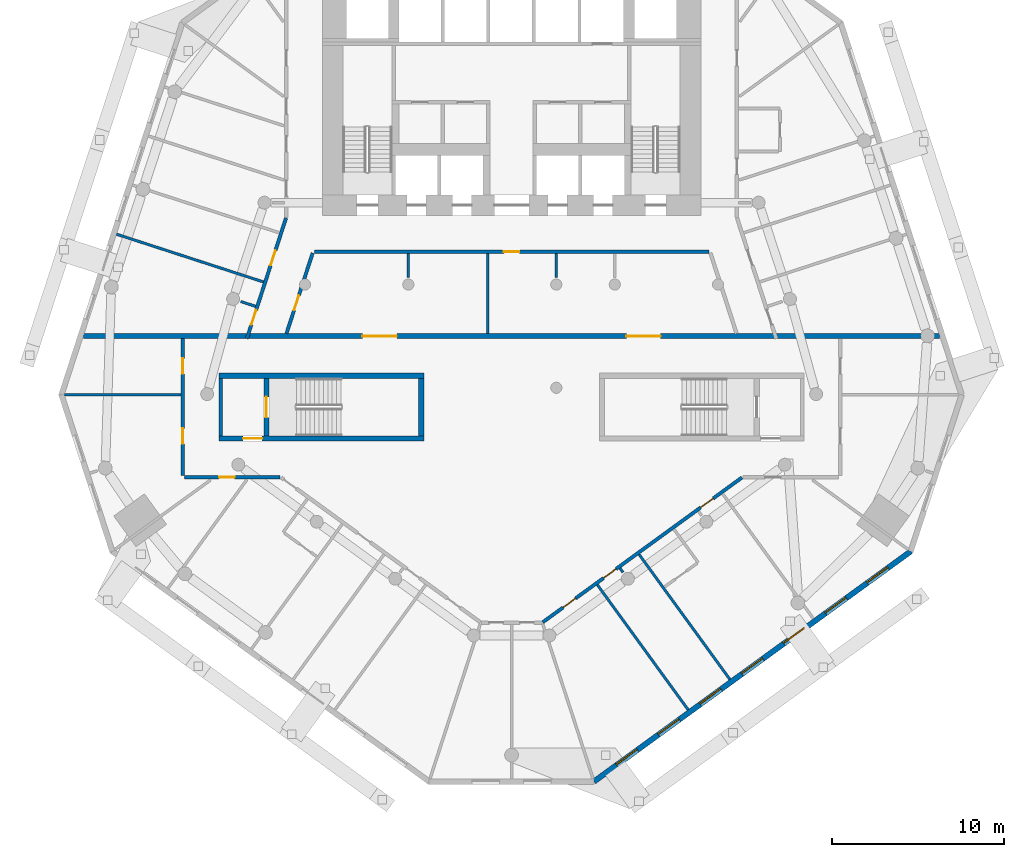
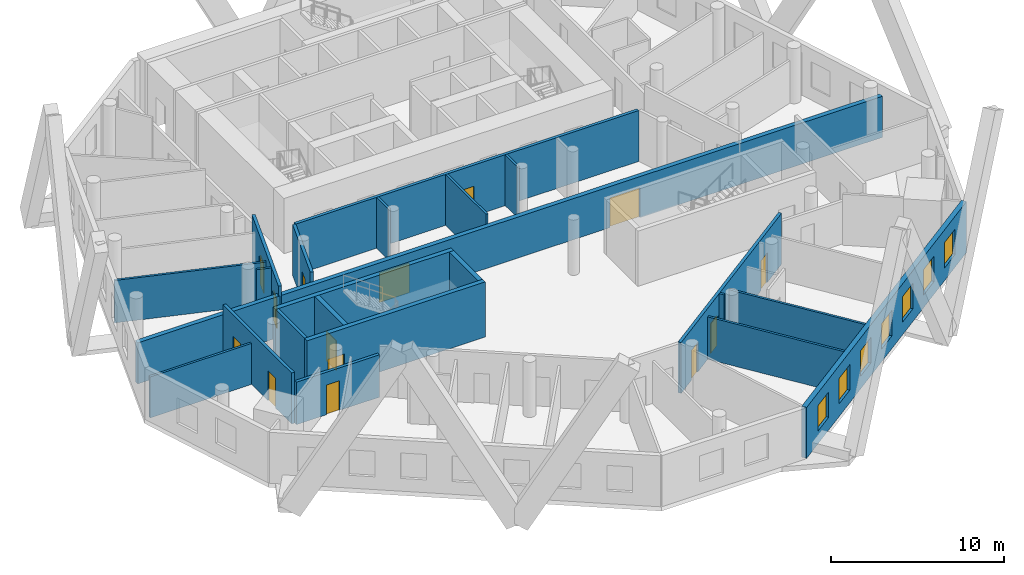
# One storey, part 4 of 10: 22 walls, 14 doors, 7 windows, 21 openings.
"""IFC4 building model written with IfcOpenShell, lengths in metres."""

import ifcopenshell
import ifcopenshell.guid

model = None  # the IFC model being written
_history = None  # IfcOwnerHistory: only IFC2X3 demands one
_inside = {}  # id of a spatial element -> (the spatial element, [elements in it])
_under = {}  # id of a project, library or spatial element -> (it, [spatial elements below it])
_declared = {}  # id of a project -> (the project, [libraries it declares])
_typed = {}  # id of a type object -> (the type object, [elements of that type])
_made_of = {}  # id of a material, layer set ... -> (it, [elements and type objects made of it])


def new_model(schema):
    """Start an empty IFC model of exactly this schema.

    Asked for "IFC4X3", IfcOpenShell would pick the latest addendum, in which some entities
    have other attributes; the version numbers below select the first issue.
    IFC2X3 requires an IfcOwnerHistory on every rooted entity: one is made here for all.
    """
    global model, _history
    if schema == "IFC4X3":
        model = ifcopenshell.file(schema_version=(4, 3, 0, 0))
    else:
        model = ifcopenshell.file(schema=schema)
    _inside.clear()
    _under.clear()
    _declared.clear()
    _typed.clear()
    _made_of.clear()
    _history = None
    if model.schema == "IFC2X3":
        org = make("IfcOrganization", Name="unknown")
        user = make(
            "IfcPersonAndOrganization",
            ThePerson=make("IfcPerson", FamilyName="unknown"),
            TheOrganization=org,
        )
        app = make(
            "IfcApplication",
            ApplicationDeveloper=org,
            Version="unknown",
            ApplicationFullName="unknown",
            ApplicationIdentifier="unknown",
        )
        _history = make(
            "IfcOwnerHistory",
            OwningUser=user,
            OwningApplication=app,
            ChangeAction="ADDED",
            CreationDate=0,
        )
    return model


def make(cls, **values):
    """One entity of the class cls with the attributes given. An attribute that is None is left unset."""
    return model.create_entity(
        cls, **{name: value for name, value in values.items() if value is not None}
    )


def rooted(cls, **values):
    """An entity with a GlobalId (a new one), such as an element, a storey or a relation."""
    return make(cls, GlobalId=ifcopenshell.guid.new(), OwnerHistory=_history, **values)


def si_unit(unit_type, name, prefix=None):
    """IfcSIUnit, for example si_unit("LENGTHUNIT", "METRE", prefix="MILLI")."""
    return make("IfcSIUnit", UnitType=unit_type, Prefix=prefix, Name=name)


def assignment(units):
    """IfcUnitAssignment: the units of a project."""
    return None if units is None else make("IfcUnitAssignment", Units=units)


def point(xyz):
    """IfcCartesianPoint."""
    return None if xyz is None else make("IfcCartesianPoint", Coordinates=xyz)


def direction(xyz):
    """IfcDirection."""
    return None if xyz is None else make("IfcDirection", DirectionRatios=xyz)


def frame(location, z_axis=None, x_axis=None):
    """IfcAxis2Placement3D, a coordinate frame: its origin and axes. An axis left out is left unset."""
    return make(
        "IfcAxis2Placement3D",
        Location=point(location),
        Axis=direction(z_axis),
        RefDirection=direction(x_axis),
    )


def frame_2d(location, x_axis=None):
    """IfcAxis2Placement2D, a coordinate frame in the plane: its origin and x axis."""
    return make(
        "IfcAxis2Placement2D", Location=point(location), RefDirection=direction(x_axis)
    )


def origin():
    """The frame at (0, 0, 0) with its axes left unset."""
    return frame((0.0, 0.0, 0.0))


def place(relative_to, where):
    """IfcLocalPlacement: puts the frame where relative to a parent placement (None: the world)."""
    return make(
        "IfcLocalPlacement", PlacementRelTo=relative_to, RelativePlacement=where
    )


def context(
    kind, dimensions, precision=None, world=None, true_north=None, identifier=None
):
    """IfcGeometricRepresentationContext, for example the 3D "Model" context."""
    return make(
        "IfcGeometricRepresentationContext",
        ContextIdentifier=identifier,
        ContextType=kind,
        CoordinateSpaceDimension=dimensions,
        Precision=precision,
        WorldCoordinateSystem=world,
        TrueNorth=true_north,
    )


def subcontext(parent, identifier, kind, view, scale=None):
    """IfcGeometricRepresentationSubContext, for example "Body" below "Model"."""
    return make(
        "IfcGeometricRepresentationSubContext",
        ContextIdentifier=identifier,
        ContextType=kind,
        ParentContext=parent,
        TargetScale=scale,
        TargetView=view,
    )


def project(units=None, contexts=None):
    """IfcProject with its units and contexts."""
    return rooted(
        "IfcProject",
        Name="project",
        RepresentationContexts=contexts,
        UnitsInContext=assignment(units),
    )


def spatial(cls, under=None, at=None, **own):
    """A site, building, storey or space (cls), placed at a placement, below another one or the project."""
    s = rooted(cls, ObjectPlacement=at, **own)
    if under is not None:
        _under.setdefault(under.id(), (under, []))[1].append(s)
    return s


def profile(cls, at=None, kind="AREA", **sizes):
    """A parametric profile (cls). Its sizes go by their IFC names, for example OverallWidth=200.0."""
    return make(cls, ProfileType=kind, Position=at, **sizes)


def rectangle(**sizes):
    """IfcRectangleProfileDef."""
    return profile("IfcRectangleProfileDef", **sizes)


def extrude(swept, where, along, depth):
    """IfcExtrudedAreaSolid: the profile swept, set in the frame where, extruded along a direction by depth."""
    return make(
        "IfcExtrudedAreaSolid",
        SweptArea=swept,
        Position=where,
        ExtrudedDirection=direction(along),
        Depth=depth,
    )


def shape(context_of_items, identifier, shape_type, items):
    """IfcShapeRepresentation: the items that make up one representation, for example the "Body"."""
    return make(
        "IfcShapeRepresentation",
        ContextOfItems=context_of_items,
        RepresentationIdentifier=identifier,
        RepresentationType=shape_type,
        Items=items,
    )


def material(Name=None, Category=None):
    """IfcMaterial."""
    return make("IfcMaterial", Name=Name, Category=Category)


def layer(
    of_material, thickness, ventilated=None, Name=None, Category=None, Priority=None
):
    """IfcMaterialLayer: one layer of a wall or slab, of a material (None: an air gap)."""
    return make(
        "IfcMaterialLayer",
        Material=of_material,
        LayerThickness=thickness,
        IsVentilated=ventilated,
        Name=Name,
        Category=Category,
        Priority=Priority,
    )


def layer_set(layers, Name=None):
    """IfcMaterialLayerSet."""
    return make("IfcMaterialLayerSet", MaterialLayers=layers, LayerSetName=Name)


def made_of(thing, what):
    """Note that an element or type object is made of a material, layer set ...; save() writes the relation."""
    if what is not None:
        _made_of.setdefault(what.id(), (what, []))[1].append(thing)
    return thing


def type_object(cls, material=None, **own):
    """A type object (cls), such as IfcWallType, which elements share."""
    return made_of(rooted(cls, **own), material)


def element(
    cls,
    number,
    at=None,
    inside=None,
    cuts=None,
    type_object=None,
    material=None,
    context=None,
    identifier="Body",
    shape_type=None,
    held_by="IfcProductDefinitionShape",
    body=None,
    shapes=None,
    **own,
):
    """One element of the class cls, such as IfcWall. Its Tag is "e" and its number.

    at: its placement. inside: the storey or other place that contains it. cuts: it is an
    opening in that element (IfcRelVoidsElement). A single representation is given by context,
    identifier, shape_type and body (its items); several are given by shapes. held_by: the class
    of the entity that holds the representations. save() writes the other relations.
    """
    e = rooted(cls, Tag="e%d" % number, ObjectPlacement=at, **own)
    if body is not None:
        shapes = [shape(context, identifier, shape_type, body)]
    if shapes is not None:
        e.Representation = make(held_by, Representations=shapes)
    if inside is not None:
        _inside.setdefault(inside.id(), (inside, []))[1].append(e)
    if cuts is not None:
        rooted(
            "IfcRelVoidsElement", RelatingBuildingElement=cuts, RelatedOpeningElement=e
        )
    if type_object is not None:
        _typed.setdefault(type_object.id(), (type_object, []))[1].append(e)
    return made_of(e, material)


def fill(opening, filler):
    """IfcRelFillsElement: the door or window that sits in an opening."""
    return rooted(
        "IfcRelFillsElement",
        RelatingOpeningElement=opening,
        RelatedBuildingElement=filler,
    )


def aggregate(whole, parts):
    """IfcRelAggregates: a whole, such as a stair, and the parts it consists of."""
    return rooted("IfcRelAggregates", RelatingObject=whole, RelatedObjects=parts)


def save(model, path):
    """Write the relations noted so far, then the file.

    IfcRelAggregates (storeys below a building ...), IfcRelContainedInSpatialStructure (elements
    in a storey), IfcRelDefinesByType, IfcRelAssociatesMaterial and IfcRelDeclares: one each for
    every whole, place, type object, material and project.
    """
    for whole, parts in _under.values():
        aggregate(whole, parts)
    for where, things in _inside.values():
        rooted(
            "IfcRelContainedInSpatialStructure",
            RelatedElements=things,
            RelatingStructure=where,
        )
    for kind, things in _typed.values():
        rooted("IfcRelDefinesByType", RelatedObjects=things, RelatingType=kind)
    for what, things in _made_of.values():
        rooted("IfcRelAssociatesMaterial", RelatedObjects=things, RelatingMaterial=what)
    for by, libraries in _declared.values():
        rooted("IfcRelDeclares", RelatingContext=by, RelatedDefinitions=libraries)
    model.write(path)


model = new_model("IFC4")

# Units and contexts
model_context = context("Model", 3, precision=1e-05, world=origin(), true_north=direction((0.0, 1.0)))
body_context = subcontext(model_context, "Body", "Model", "MODEL_VIEW")
ifc_project = project(units=[si_unit("LENGTHUNIT", "METRE"), si_unit("AREAUNIT", "SQUARE_METRE"), si_unit("VOLUMEUNIT", "CUBIC_METRE"), si_unit("PLANEANGLEUNIT", "RADIAN"), si_unit("MASSUNIT", "GRAM", prefix="KILO")], contexts=[model_context])

# Site, building, storey
site_placement = place(None, origin())
site = spatial("IfcSite", under=ifc_project, at=site_placement, CompositionType="ELEMENT")
building_placement = place(site_placement, origin())
building = spatial("IfcBuilding", under=site, at=building_placement, Name="White Candle Pilgrim Tower", CompositionType="ELEMENT")
storey_placement = place(building_placement, frame((0.0, 0.0, 42.89990234375)))
storey = spatial("IfcBuildingStorey", under=building, at=storey_placement, Name="L07", CompositionType="ELEMENT", Elevation=42.89990234375)

# Wall
ifc_material_1 = material(Name="Concrete C70/85", Category="concrete")
ifc_layer_1 = layer(ifc_material_1, 0.199951171875)
ifc_layer_set_1 = layer_set([ifc_layer_1], Name="Core wall 200 mm Concrete C70/85")
wall_type_1 = type_object("IfcWallType", Name="Core wall 200 mm Concrete C70/85", PredefinedType="SHEAR", material=ifc_layer_set_1)
wall_1_placement = place(storey_placement, frame((53.10009765625, 58.199951171875, 0.0), z_axis=(0.0, 0.0, 1.0), x_axis=(0.0, 1.0, 0.0)))
element("IfcWall", 1, at=wall_1_placement, inside=storey, type_object=wall_type_1, Name="WL-L07-C03", PredefinedType="SHEAR", context=body_context, shape_type="SweptSolid", body=[
    extrude(rectangle(XDim=3.35009765625, YDim=0.199951171875, at=frame_2d((1.675048828125, 0.0))), origin(), (0.0, 0.0, 1.0), 3.900146484375),
])

# Wall, openings, doors
ifc_material_2 = material(Name="Gypsum board on steel studs", Category="steel")
ifc_layer_2 = layer(ifc_material_2, 0.199951171875)
ifc_layer_set_2 = layer_set([ifc_layer_2], Name="Corridor wall 200 mm EI 45")
wall_type_2 = type_object("IfcWallType", Name="Corridor wall 200 mm EI 45", PredefinedType="PARTITIONING", material=ifc_layer_set_2)
wall_2_placement = place(storey_placement, frame((54.615234375, 63.85009765625, 0.0), z_axis=(0.0, 0.0, 1.0), x_axis=(0.309020970938, 0.951055224222, 0.0)))
wall_2 = element("IfcWall", 2, at=wall_2_placement, inside=storey, type_object=wall_type_2, Name="WL-L07-P002", PredefinedType="PARTITIONING", context=body_context, shape_type="SweptSolid", body=[
    extrude(rectangle(XDim=7.37744140625, YDim=0.199951171875, at=frame_2d((3.688720703125, 0.0))), origin(), (0.0, 0.0, 1.0), 3.60009765625),
])
opening_1_placement = place(wall_2_placement, frame((0.8583984375, 0.0, 0.0)))
opening_1 = element("IfcOpeningElement", 3, at=opening_1_placement, cuts=wall_2, Name="Opening T02-120", PredefinedType="OPENING", context=body_context, shape_type="SweptSolid", body=[
    extrude(rectangle(XDim=0.89990234375, YDim=2.10009765625, at=frame_2d((0.449951171875, 1.050048828125))), frame((0.0, 0.10986328125, 0.0), z_axis=(0.0, -1.0, 0.0), x_axis=(1.0, 0.0, 0.0)), (0.0, 0.0, 1.0), 0.219970703125),
])
opening_2_placement = place(wall_2_placement, frame((4.486572265625, 0.0, 0.0)))
opening_2 = element("IfcOpeningElement", 4, at=opening_2_placement, cuts=wall_2, Name="Opening T02-121", PredefinedType="OPENING", context=body_context, shape_type="SweptSolid", body=[
    extrude(rectangle(XDim=0.89990234375, YDim=2.10009765625, at=frame_2d((0.449951171875, 1.050048828125))), frame((0.0, 0.10986328125, 0.0), z_axis=(0.0, -1.0, 0.0), x_axis=(1.0, 0.0, 0.0)), (0.0, 0.0, 1.0), 0.219970703125),
])
ifc_material_3 = material(Name="Steel door leaf", Category="steel")
door_type_1 = type_object("IfcDoorType", Name="Fire door 900 x 2100 EI 30", OperationType="NOTDEFINED", PredefinedType="DOOR", material=ifc_material_3)
door_1_placement = place(opening_1_placement, origin())
door_1 = element("IfcDoor", 5, at=door_1_placement, inside=storey, type_object=door_type_1, Name="Door T02-120", OperationType="SINGLE_SWING_RIGHT", OverallHeight=2.10009765625, OverallWidth=0.89990234375, PredefinedType="DOOR", context=body_context, shape_type="SweptSolid", body=[
    extrude(rectangle(XDim=0.89990234375, YDim=2.10009765625, at=frame_2d((0.449951171875, 1.050048828125))), frame((0.0, 0.02490234375, 0.0), z_axis=(0.0, -1.0, 0.0), x_axis=(1.0, 0.0, 0.0)), (0.0, 0.0, 1.0), 0.050048828125),
])
fill(opening_1, door_1)
door_2_placement = place(opening_2_placement, origin())
door_2 = element("IfcDoor", 6, at=door_2_placement, inside=storey, type_object=door_type_1, Name="Door T02-121", OperationType="SINGLE_SWING_LEFT", OverallHeight=2.10009765625, OverallWidth=0.89990234375, PredefinedType="DOOR", context=body_context, shape_type="SweptSolid", body=[
    extrude(rectangle(XDim=0.89990234375, YDim=2.10009765625, at=frame_2d((0.449951171875, 1.050048828125))), frame((0.0, 0.02490234375, 0.0), z_axis=(0.0, -1.0, 0.0), x_axis=(1.0, 0.0, 0.0)), (0.0, 0.0, 1.0), 0.050048828125),
])
fill(opening_2, door_2)

wall_3_placement = place(storey_placement, frame((83.386962890625, 55.781005859375, 0.0), z_axis=(0.0, 0.0, 1.0), x_axis=(-0.809010579214, -0.587794081902, 0.0)))
wall_3 = element("IfcWall", 7, at=wall_3_placement, inside=storey, type_object=wall_type_2, Name="WL-L07-P008", PredefinedType="PARTITIONING", context=body_context, shape_type="SweptSolid", body=[
    extrude(rectangle(XDim=14.302978515625, YDim=0.199951171875, at=frame_2d((7.1513671875, 0.0))), origin(), (0.0, 0.0, 1.0), 3.60009765625),
])
opening_3_placement = place(wall_3_placement, frame((11.947509765625, 0.0, 0.0)))
opening_3 = element("IfcOpeningElement", 8, at=opening_3_placement, cuts=wall_3, Name="Opening T02-110", PredefinedType="OPENING", context=body_context, shape_type="SweptSolid", body=[
    extrude(rectangle(XDim=0.89990234375, YDim=2.10009765625, at=frame_2d((0.449951171875, 1.050048828125))), frame((0.0, 0.10986328125, 0.0), z_axis=(0.0, -1.0, 0.0), x_axis=(1.0, 0.0, 0.0)), (0.0, 0.0, 1.0), 0.219970703125),
])
opening_4_placement = place(wall_3_placement, frame((9.034423828125, 0.0, 0.0)))
opening_4 = element("IfcOpeningElement", 9, at=opening_4_placement, cuts=wall_3, Name="Opening T02-111", PredefinedType="OPENING", context=body_context, shape_type="SweptSolid", body=[
    extrude(rectangle(XDim=0.89990234375, YDim=2.10009765625, at=frame_2d((0.449951171875, 1.050048828125))), frame((0.0, 0.10986328125, 0.0), z_axis=(0.0, -1.0, 0.0), x_axis=(1.0, 0.0, 0.0)), (0.0, 0.0, 1.0), 0.219970703125),
])
opening_5_placement = place(wall_3_placement, frame((2.059326171875, 0.0, 0.0)))
opening_5 = element("IfcOpeningElement", 10, at=opening_5_placement, cuts=wall_3, Name="Opening T02-113", PredefinedType="OPENING", context=body_context, shape_type="SweptSolid", body=[
    extrude(rectangle(XDim=0.89990234375, YDim=2.10009765625, at=frame_2d((0.449951171875, 1.050048828125))), frame((0.0, 0.10986328125, 0.0), z_axis=(0.0, -1.0, 0.0), x_axis=(1.0, 0.0, 0.0)), (0.0, 0.0, 1.0), 0.219970703125),
])
door_3_placement = place(opening_3_placement, origin())
door_3 = element("IfcDoor", 11, at=door_3_placement, inside=storey, type_object=door_type_1, Name="Door T02-110", OperationType="SINGLE_SWING_RIGHT", OverallHeight=2.10009765625, OverallWidth=0.89990234375, PredefinedType="DOOR", context=body_context, shape_type="SweptSolid", body=[
    extrude(rectangle(XDim=0.89990234375, YDim=2.10009765625, at=frame_2d((0.449951171875, 1.050048828125))), frame((0.0, 0.02490234375, 0.0), z_axis=(0.0, -1.0, 0.0), x_axis=(1.0, 0.0, 0.0)), (0.0, 0.0, 1.0), 0.050048828125),
])
fill(opening_3, door_3)
door_4_placement = place(opening_4_placement, origin())
door_4 = element("IfcDoor", 12, at=door_4_placement, inside=storey, type_object=door_type_1, Name="Door T02-111", OperationType="SINGLE_SWING_RIGHT", OverallHeight=2.10009765625, OverallWidth=0.89990234375, PredefinedType="DOOR", context=body_context, shape_type="SweptSolid", body=[
    extrude(rectangle(XDim=0.89990234375, YDim=2.10009765625, at=frame_2d((0.449951171875, 1.050048828125))), frame((0.0, 0.02490234375, 0.0), z_axis=(0.0, -1.0, 0.0), x_axis=(1.0, 0.0, 0.0)), (0.0, 0.0, 1.0), 0.050048828125),
])
fill(opening_4, door_4)
door_5_placement = place(opening_5_placement, frame((0.89990234375, 0.0, 0.0), z_axis=(0.0, 0.0, 1.0), x_axis=(-1.0, 0.0, 0.0)))
door_5 = element("IfcDoor", 13, at=door_5_placement, inside=storey, type_object=door_type_1, Name="Door T02-113", OperationType="SINGLE_SWING_RIGHT", OverallHeight=2.10009765625, OverallWidth=0.89990234375, PredefinedType="DOOR", context=body_context, shape_type="SweptSolid", body=[
    extrude(rectangle(XDim=0.89990234375, YDim=2.10009765625, at=frame_2d((0.449951171875, 1.050048828125))), frame((0.0, 0.02490234375, 0.0), z_axis=(0.0, -1.0, 0.0), x_axis=(1.0, 0.0, 0.0)), (0.0, 0.0, 1.0), 0.050048828125),
])
fill(opening_5, door_5)

# Wall, opening, door
wall_4_placement = place(storey_placement, frame((56.55419921875, 55.800048828125, 0.0), z_axis=(0.0, 0.0, 1.0), x_axis=(-1.0, 0.0, 0.0)))
wall_4 = element("IfcWall", 14, at=wall_4_placement, inside=storey, type_object=wall_type_2, Name="WL-L07-P011", PredefinedType="PARTITIONING", context=body_context, shape_type="SweptSolid", body=[
    extrude(rectangle(XDim=5.55419921875, YDim=0.199951171875, at=frame_2d((2.777099609375, 0.0))), origin(), (0.0, 0.0, 1.0), 3.0),
])
opening_6_placement = place(wall_4_placement, frame((2.6533203125, 0.0, 0.0)))
opening_6 = element("IfcOpeningElement", 15, at=opening_6_placement, cuts=wall_4, Name="Opening T02-102", PredefinedType="OPENING", context=body_context, shape_type="SweptSolid", body=[
    extrude(rectangle(XDim=0.89990234375, YDim=2.10009765625, at=frame_2d((0.449951171875, 1.050048828125))), frame((0.0, 0.10986328125, 0.0), z_axis=(0.0, -1.0, 0.0), x_axis=(1.0, 0.0, 0.0)), (0.0, 0.0, 1.0), 0.219970703125),
])
door_6_placement = place(opening_6_placement, origin())
door_6 = element("IfcDoor", 16, at=door_6_placement, inside=storey, type_object=door_type_1, Name="Door T02-102", OperationType="SINGLE_SWING_RIGHT", OverallHeight=2.10009765625, OverallWidth=0.89990234375, PredefinedType="DOOR", context=body_context, shape_type="SweptSolid", body=[
    extrude(rectangle(XDim=0.89990234375, YDim=2.10009765625, at=frame_2d((0.449951171875, 1.050048828125))), frame((0.0, 0.02490234375, 0.0), z_axis=(0.0, -1.0, 0.0), x_axis=(1.0, 0.0, 0.0)), (0.0, 0.0, 1.0), 0.050048828125),
])
fill(opening_6, door_6)

# Wall, openings, doors
wall_5_placement = place(storey_placement, frame((50.89990234375, 55.89990234375, 0.0), z_axis=(0.0, 0.0, 1.0), x_axis=(0.0, 1.0, 0.0)))
wall_5 = element("IfcWall", 17, at=wall_5_placement, inside=storey, type_object=wall_type_2, Name="WL-L07-P012", PredefinedType="PARTITIONING", context=body_context, shape_type="SweptSolid", body=[
    extrude(rectangle(XDim=7.9501953125, YDim=0.199951171875, at=frame_2d((3.97509765625, 0.0))), origin(), (0.0, 0.0, 1.0), 3.60009765625),
])
opening_7_placement = place(wall_5_placement, frame((1.845703125, 0.0, 0.0)))
opening_7 = element("IfcOpeningElement", 18, at=opening_7_placement, cuts=wall_5, Name="Opening T02-101", PredefinedType="OPENING", context=body_context, shape_type="SweptSolid", body=[
    extrude(rectangle(XDim=0.89990234375, YDim=2.10009765625, at=frame_2d((0.449951171875, 1.050048828125))), frame((0.0, 0.10986328125, 0.0), z_axis=(0.0, -1.0, 0.0), x_axis=(1.0, 0.0, 0.0)), (0.0, 0.0, 1.0), 0.219970703125),
])
opening_8_placement = place(wall_5_placement, frame((5.908203125, 0.0, 0.0)))
opening_8 = element("IfcOpeningElement", 19, at=opening_8_placement, cuts=wall_5, Name="Opening T02-119", PredefinedType="OPENING", context=body_context, shape_type="SweptSolid", body=[
    extrude(rectangle(XDim=0.89990234375, YDim=2.10009765625, at=frame_2d((0.449951171875, 1.050048828125))), frame((0.0, 0.10986328125, 0.0), z_axis=(0.0, -1.0, 0.0), x_axis=(1.0, 0.0, 0.0)), (0.0, 0.0, 1.0), 0.219970703125),
])
door_7_placement = place(opening_7_placement, origin())
door_7 = element("IfcDoor", 20, at=door_7_placement, inside=storey, type_object=door_type_1, Name="Door T02-101", OperationType="SINGLE_SWING_LEFT", OverallHeight=2.10009765625, OverallWidth=0.89990234375, PredefinedType="DOOR", context=body_context, shape_type="SweptSolid", body=[
    extrude(rectangle(XDim=0.89990234375, YDim=2.10009765625, at=frame_2d((0.449951171875, 1.050048828125))), frame((0.0, 0.02490234375, 0.0), z_axis=(0.0, -1.0, 0.0), x_axis=(1.0, 0.0, 0.0)), (0.0, 0.0, 1.0), 0.050048828125),
])
fill(opening_7, door_7)
door_8_placement = place(opening_8_placement, origin())
door_8 = element("IfcDoor", 21, at=door_8_placement, inside=storey, type_object=door_type_1, Name="Door T02-119", OperationType="SINGLE_SWING_LEFT", OverallHeight=2.10009765625, OverallWidth=0.89990234375, PredefinedType="DOOR", context=body_context, shape_type="SweptSolid", body=[
    extrude(rectangle(XDim=0.89990234375, YDim=2.10009765625, at=frame_2d((0.449951171875, 1.050048828125))), frame((0.0, 0.02490234375, 0.0), z_axis=(0.0, -1.0, 0.0), x_axis=(1.0, 0.0, 0.0)), (0.0, 0.0, 1.0), 0.050048828125),
])
fill(opening_8, door_8)

# Wall, opening, door
wall_6_placement = place(storey_placement, frame((81.463134765625, 68.89990234375, 0.0), z_axis=(0.0, 0.0, 1.0), x_axis=(-1.0, 0.0, 0.0)))
wall_6 = element("IfcWall", 22, at=wall_6_placement, inside=storey, type_object=wall_type_2, Name="WL-L07-P013", PredefinedType="PARTITIONING", context=body_context, shape_type="SweptSolid", body=[
    extrude(rectangle(XDim=22.92626953125, YDim=0.199951171875, at=frame_2d((11.463134765625, 0.0))), origin(), (0.0, 0.0, 1.0), 3.60009765625),
])
opening_9_placement = place(wall_6_placement, frame((11.01318359375, 0.0, 0.0)))
opening_9 = element("IfcOpeningElement", 23, at=opening_9_placement, cuts=wall_6, Name="Opening T02-133", PredefinedType="OPENING", context=body_context, shape_type="SweptSolid", body=[
    extrude(rectangle(XDim=0.89990234375, YDim=2.10009765625, at=frame_2d((0.449951171875, 1.050048828125))), frame((0.0, 0.10986328125, 0.0), z_axis=(0.0, -1.0, 0.0), x_axis=(1.0, 0.0, 0.0)), (0.0, 0.0, 1.0), 0.219970703125),
])
door_9_placement = place(opening_9_placement, origin())
door_9 = element("IfcDoor", 24, at=door_9_placement, inside=storey, type_object=door_type_1, Name="Door T02-133", OperationType="SINGLE_SWING_LEFT", OverallHeight=2.10009765625, OverallWidth=0.89990234375, PredefinedType="DOOR", context=body_context, shape_type="SweptSolid", body=[
    extrude(rectangle(XDim=0.89990234375, YDim=2.10009765625, at=frame_2d((0.449951171875, 1.050048828125))), frame((0.0, 0.02490234375, 0.0), z_axis=(0.0, -1.0, 0.0), x_axis=(1.0, 0.0, 0.0)), (0.0, 0.0, 1.0), 0.050048828125),
])
fill(opening_9, door_9)

wall_7_placement = place(storey_placement, frame((58.44189453125, 68.830810546875, 0.0), z_axis=(0.0, 0.0, 1.0), x_axis=(-0.309031112369, -0.951051928965, 0.0)))
wall_7 = element("IfcWall", 25, at=wall_7_placement, inside=storey, type_object=wall_type_2, Name="WL-L07-P014", PredefinedType="PARTITIONING", context=body_context, shape_type="SweptSolid", body=[
    extrude(rectangle(XDim=4.921875, YDim=0.199951171875, at=frame_2d((2.4609375, 0.0))), origin(), (0.0, 0.0, 1.0), 3.60009765625),
])
opening_10_placement = place(wall_7_placement, frame((2.59619140625, 0.0, 0.0)))
opening_10 = element("IfcOpeningElement", 26, at=opening_10_placement, cuts=wall_7, Name="Opening T02-134", PredefinedType="OPENING", context=body_context, shape_type="SweptSolid", body=[
    extrude(rectangle(XDim=0.89990234375, YDim=2.10009765625, at=frame_2d((0.449951171875, 1.050048828125))), frame((0.0, 0.10986328125, 0.0), z_axis=(0.0, -1.0, 0.0), x_axis=(1.0, 0.0, 0.0)), (0.0, 0.0, 1.0), 0.219970703125),
])
door_10_placement = place(opening_10_placement, origin())
door_10 = element("IfcDoor", 27, at=door_10_placement, inside=storey, type_object=door_type_1, Name="Door T02-134", OperationType="SINGLE_SWING_RIGHT", OverallHeight=2.10009765625, OverallWidth=0.89990234375, PredefinedType="DOOR", context=body_context, shape_type="SweptSolid", body=[
    extrude(rectangle(XDim=0.89990234375, YDim=2.10009765625, at=frame_2d((0.449951171875, 1.050048828125))), frame((0.0, 0.02490234375, 0.0), z_axis=(0.0, -1.0, 0.0), x_axis=(1.0, 0.0, 0.0)), (0.0, 0.0, 1.0), 0.050048828125),
])
fill(opening_10, door_10)

# Wall, openings, windows
ifc_material_4 = material(Name="Precast concrete C40/50", Category="concrete")
ifc_layer_3 = layer(ifc_material_4, 0.320068359375)
ifc_layer_set_3 = layer_set([ifc_layer_3], Name="Facade wall EW1 precast concrete C40/50 pier wall with timber-lined reveals")
wall_type_3 = type_object("IfcWallType", Name="Facade wall EW1 precast concrete C40/50 pier wall with timber-lined reveals", PredefinedType="SOLIDWALL", material=ifc_layer_set_3)
wall_8_placement = place(storey_placement, frame((74.79150390625, 38.11474609375, 0.0), z_axis=(0.0, 0.0, 1.0), x_axis=(0.80901991267, 0.587781235583, 0.0)))
wall_8 = element("IfcWall", 28, at=wall_8_placement, inside=storey, type_object=wall_type_3, Name="Facade wall L07 SE", PredefinedType="SOLIDWALL", context=body_context, shape_type="SweptSolid", body=[
    extrude(rectangle(XDim=22.7568359375, YDim=0.320068359375, at=frame_2d((11.37841796875, 0.0))), origin(), (0.0, 0.0, 1.0), 3.60009765625),
])
opening_11_placement = place(wall_8_placement, frame((1.62841796875, 0.0, 0.89990234375)))
opening_11 = element("IfcOpeningElement", 29, at=opening_11_placement, cuts=wall_8, Name="Opening W1", PredefinedType="OPENING", context=body_context, shape_type="SweptSolid", body=[
    extrude(rectangle(XDim=1.5, YDim=1.800048828125, at=frame_2d((0.75, 0.89990234375))), frame((0.0, 0.169921875, 0.0), z_axis=(0.0, -1.0, 0.0), x_axis=(1.0, 0.0, 0.0)), (0.0, 0.0, 1.0), 0.340087890625),
])
opening_12_placement = place(wall_8_placement, frame((4.62841796875, 0.0, 0.89990234375)))
opening_12 = element("IfcOpeningElement", 30, at=opening_12_placement, cuts=wall_8, Name="Opening W1", PredefinedType="OPENING", context=body_context, shape_type="SweptSolid", body=[
    extrude(rectangle(XDim=1.5, YDim=1.800048828125, at=frame_2d((0.75, 0.89990234375))), frame((0.0, 0.169921875, 0.0), z_axis=(0.0, -1.0, 0.0), x_axis=(1.0, 0.0, 0.0)), (0.0, 0.0, 1.0), 0.340087890625),
])
opening_13_placement = place(wall_8_placement, frame((7.62841796875, 0.0, 0.89990234375)))
opening_13 = element("IfcOpeningElement", 31, at=opening_13_placement, cuts=wall_8, Name="Opening W1", PredefinedType="OPENING", context=body_context, shape_type="SweptSolid", body=[
    extrude(rectangle(XDim=1.5, YDim=1.800048828125, at=frame_2d((0.75, 0.89990234375))), frame((0.0, 0.169921875, 0.0), z_axis=(0.0, -1.0, 0.0), x_axis=(1.0, 0.0, 0.0)), (0.0, 0.0, 1.0), 0.340087890625),
])
opening_14_placement = place(wall_8_placement, frame((10.62841796875, 0.0, 0.89990234375)))
opening_14 = element("IfcOpeningElement", 32, at=opening_14_placement, cuts=wall_8, Name="Opening W1", PredefinedType="OPENING", context=body_context, shape_type="SweptSolid", body=[
    extrude(rectangle(XDim=1.5, YDim=1.800048828125, at=frame_2d((0.75, 0.89990234375))), frame((0.0, 0.169921875, 0.0), z_axis=(0.0, -1.0, 0.0), x_axis=(1.0, 0.0, 0.0)), (0.0, 0.0, 1.0), 0.340087890625),
])
opening_15_placement = place(wall_8_placement, frame((13.62841796875, 0.0, 0.89990234375)))
opening_15 = element("IfcOpeningElement", 33, at=opening_15_placement, cuts=wall_8, Name="Opening W1", PredefinedType="OPENING", context=body_context, shape_type="SweptSolid", body=[
    extrude(rectangle(XDim=1.5, YDim=1.800048828125, at=frame_2d((0.75, 0.89990234375))), frame((0.0, 0.169921875, 0.0), z_axis=(0.0, -1.0, 0.0), x_axis=(1.0, 0.0, 0.0)), (0.0, 0.0, 1.0), 0.340087890625),
])
opening_16_placement = place(wall_8_placement, frame((16.62841796875, 0.0, 0.89990234375)))
opening_16 = element("IfcOpeningElement", 34, at=opening_16_placement, cuts=wall_8, Name="Opening W1", PredefinedType="OPENING", context=body_context, shape_type="SweptSolid", body=[
    extrude(rectangle(XDim=1.5, YDim=1.800048828125, at=frame_2d((0.75, 0.89990234375))), frame((0.0, 0.169921875, 0.0), z_axis=(0.0, -1.0, 0.0), x_axis=(1.0, 0.0, 0.0)), (0.0, 0.0, 1.0), 0.340087890625),
])
opening_17_placement = place(wall_8_placement, frame((19.62841796875, 0.0, 0.89990234375)))
opening_17 = element("IfcOpeningElement", 35, at=opening_17_placement, cuts=wall_8, Name="Opening W1", PredefinedType="OPENING", context=body_context, shape_type="SweptSolid", body=[
    extrude(rectangle(XDim=1.5, YDim=1.800048828125, at=frame_2d((0.75, 0.89990234375))), frame((0.0, 0.169921875, 0.0), z_axis=(0.0, -1.0, 0.0), x_axis=(1.0, 0.0, 0.0)), (0.0, 0.0, 1.0), 0.340087890625),
])
ifc_material_5 = material(Name="Timber frame with triple glazing", Category="wood")
window_type = type_object("IfcWindowType", Name="Window W1 1500x1800 timber frame triple glazing", PartitioningType="SINGLE_PANEL", PredefinedType="WINDOW", material=ifc_material_5)
window_1_placement = place(opening_11_placement, origin())
window_1 = element("IfcWindow", 36, at=window_1_placement, inside=storey, type_object=window_type, Name="Window W1 L07 SE 1", OverallHeight=1.800048828125, OverallWidth=1.5, PartitioningType="SINGLE_PANEL", PredefinedType="WINDOW", context=body_context, shape_type="SweptSolid", body=[
    extrude(rectangle(XDim=1.5, YDim=1.800048828125, at=frame_2d((0.75, 0.89990234375))), frame((0.0, 0.070068359375, 0.0), z_axis=(0.0, -1.0, 0.0), x_axis=(1.0, 0.0, 0.0)), (0.0, 0.0, 1.0), 0.06005859375),
])
fill(opening_11, window_1)
window_2_placement = place(opening_12_placement, origin())
window_2 = element("IfcWindow", 37, at=window_2_placement, inside=storey, type_object=window_type, Name="Window W1 L07 SE 2", OverallHeight=1.800048828125, OverallWidth=1.5, PartitioningType="SINGLE_PANEL", PredefinedType="WINDOW", context=body_context, shape_type="SweptSolid", body=[
    extrude(rectangle(XDim=1.5, YDim=1.800048828125, at=frame_2d((0.75, 0.89990234375))), frame((0.0, 0.070068359375, 0.0), z_axis=(0.0, -1.0, 0.0), x_axis=(1.0, 0.0, 0.0)), (0.0, 0.0, 1.0), 0.06005859375),
])
fill(opening_12, window_2)
window_3_placement = place(opening_13_placement, origin())
window_3 = element("IfcWindow", 38, at=window_3_placement, inside=storey, type_object=window_type, Name="Window W1 L07 SE 3", OverallHeight=1.800048828125, OverallWidth=1.5, PartitioningType="SINGLE_PANEL", PredefinedType="WINDOW", context=body_context, shape_type="SweptSolid", body=[
    extrude(rectangle(XDim=1.5, YDim=1.800048828125, at=frame_2d((0.75, 0.89990234375))), frame((0.0, 0.070068359375, 0.0), z_axis=(0.0, -1.0, 0.0), x_axis=(1.0, 0.0, 0.0)), (0.0, 0.0, 1.0), 0.06005859375),
])
fill(opening_13, window_3)
window_4_placement = place(opening_14_placement, origin())
window_4 = element("IfcWindow", 39, at=window_4_placement, inside=storey, type_object=window_type, Name="Window W1 L07 SE 4", OverallHeight=1.800048828125, OverallWidth=1.5, PartitioningType="SINGLE_PANEL", PredefinedType="WINDOW", context=body_context, shape_type="SweptSolid", body=[
    extrude(rectangle(XDim=1.5, YDim=1.800048828125, at=frame_2d((0.75, 0.89990234375))), frame((0.0, 0.070068359375, 0.0), z_axis=(0.0, -1.0, 0.0), x_axis=(1.0, 0.0, 0.0)), (0.0, 0.0, 1.0), 0.06005859375),
])
fill(opening_14, window_4)
window_5_placement = place(opening_15_placement, origin())
window_5 = element("IfcWindow", 40, at=window_5_placement, inside=storey, type_object=window_type, Name="Window W1 L07 SE 5", OverallHeight=1.800048828125, OverallWidth=1.5, PartitioningType="SINGLE_PANEL", PredefinedType="WINDOW", context=body_context, shape_type="SweptSolid", body=[
    extrude(rectangle(XDim=1.5, YDim=1.800048828125, at=frame_2d((0.75, 0.89990234375))), frame((0.0, 0.070068359375, 0.0), z_axis=(0.0, -1.0, 0.0), x_axis=(1.0, 0.0, 0.0)), (0.0, 0.0, 1.0), 0.06005859375),
])
fill(opening_15, window_5)
window_6_placement = place(opening_16_placement, origin())
window_6 = element("IfcWindow", 41, at=window_6_placement, inside=storey, type_object=window_type, Name="Window W1 L07 SE 6", OverallHeight=1.800048828125, OverallWidth=1.5, PartitioningType="SINGLE_PANEL", PredefinedType="WINDOW", context=body_context, shape_type="SweptSolid", body=[
    extrude(rectangle(XDim=1.5, YDim=1.800048828125, at=frame_2d((0.75, 0.89990234375))), frame((0.0, 0.070068359375, 0.0), z_axis=(0.0, -1.0, 0.0), x_axis=(1.0, 0.0, 0.0)), (0.0, 0.0, 1.0), 0.06005859375),
])
fill(opening_16, window_6)
window_7_placement = place(opening_17_placement, origin())
window_7 = element("IfcWindow", 42, at=window_7_placement, inside=storey, type_object=window_type, Name="Window W1 L07 SE 7", OverallHeight=1.800048828125, OverallWidth=1.5, PartitioningType="SINGLE_PANEL", PredefinedType="WINDOW", context=body_context, shape_type="SweptSolid", body=[
    extrude(rectangle(XDim=1.5, YDim=1.800048828125, at=frame_2d((0.75, 0.89990234375))), frame((0.0, 0.070068359375, 0.0), z_axis=(0.0, -1.0, 0.0), x_axis=(1.0, 0.0, 0.0)), (0.0, 0.0, 1.0), 0.06005859375),
])
fill(opening_17, window_7)

# Wall, openings, doors
ifc_material_6 = material(Name="Aerated concrete block", Category="concrete")
ifc_layer_4 = layer(ifc_material_6, 0.300048828125)
ifc_layer_set_4 = layer_set([ifc_layer_4], Name="Fire wall 300 mm REI 240")
wall_type_4 = type_object("IfcWallType", Name="Fire wall 300 mm REI 240", PredefinedType="PARTITIONING", material=ifc_layer_set_4)
wall_9_placement = place(storey_placement, frame((45.11669921875, 64.0, 0.0), z_axis=(0.0, 0.0, 1.0), x_axis=(1.0, 0.0, 0.0)))
wall_9 = element("IfcWall", 43, at=wall_9_placement, inside=storey, type_object=wall_type_4, Name="WL-L07-P001", PredefinedType="PARTITIONING", context=body_context, shape_type="SweptSolid", body=[
    extrude(rectangle(XDim=49.7666015625, YDim=0.300048828125, at=frame_2d((24.88330078125, 0.0))), origin(), (0.0, 0.0, 1.0), 2.900146484375),
])
opening_18_placement = place(wall_9_placement, frame((16.215087890625, 0.0, 0.0)))
opening_18 = element("IfcOpeningElement", 44, at=opening_18_placement, cuts=wall_9, Name="Opening T02-117", PredefinedType="OPENING", context=body_context, shape_type="SweptSolid", body=[
    extrude(rectangle(XDim=2.0, YDim=2.10009765625, at=frame_2d((1.0, 1.050048828125))), frame((0.0, 0.159912109375, 0.0), z_axis=(0.0, -1.0, 0.0), x_axis=(1.0, 0.0, 0.0)), (0.0, 0.0, 1.0), 0.320068359375),
])
opening_19_placement = place(wall_9_placement, frame((31.55126953125, 0.0, 0.0)))
opening_19 = element("IfcOpeningElement", 45, at=opening_19_placement, cuts=wall_9, Name="Opening T02-118", PredefinedType="OPENING", context=body_context, shape_type="SweptSolid", body=[
    extrude(rectangle(XDim=2.0, YDim=2.10009765625, at=frame_2d((1.0, 1.050048828125))), frame((0.0, 0.159912109375, 0.0), z_axis=(0.0, -1.0, 0.0), x_axis=(1.0, 0.0, 0.0)), (0.0, 0.0, 1.0), 0.320068359375),
])
door_type_2 = type_object("IfcDoorType", Name="Fire door 2000 x 2100 EI 60", OperationType="NOTDEFINED", PredefinedType="DOOR", material=ifc_material_3)
door_11_placement = place(opening_18_placement, origin())
door_11 = element("IfcDoor", 46, at=door_11_placement, inside=storey, type_object=door_type_2, Name="Door T02-117", OperationType="DOUBLE_DOOR_SINGLE_SWING", OverallHeight=2.10009765625, OverallWidth=2.0, PredefinedType="DOOR", context=body_context, shape_type="SweptSolid", body=[
    extrude(rectangle(XDim=2.0, YDim=2.10009765625, at=frame_2d((1.0, 1.050048828125))), frame((0.0, 0.02490234375, 0.0), z_axis=(0.0, -1.0, 0.0), x_axis=(1.0, 0.0, 0.0)), (0.0, 0.0, 1.0), 0.050048828125),
])
fill(opening_18, door_11)
door_12_placement = place(opening_19_placement, origin())
door_12 = element("IfcDoor", 47, at=door_12_placement, inside=storey, type_object=door_type_2, Name="Door T02-118", OperationType="DOUBLE_DOOR_SINGLE_SWING", OverallHeight=2.10009765625, OverallWidth=2.0, PredefinedType="DOOR", context=body_context, shape_type="SweptSolid", body=[
    extrude(rectangle(XDim=2.0, YDim=2.10009765625, at=frame_2d((1.0, 1.050048828125))), frame((0.0, 0.02490234375, 0.0), z_axis=(0.0, -1.0, 0.0), x_axis=(1.0, 0.0, 0.0)), (0.0, 0.0, 1.0), 0.050048828125),
])
fill(opening_19, door_12)

# Walls
ifc_layer_5 = layer(ifc_material_2, 0.14990234375)
ifc_layer_set_5 = layer_set([ifc_layer_5], Name="Partition 150 mm EI 60")
wall_type_5 = type_object("IfcWallType", Name="Partition 150 mm EI 60", PredefinedType="PARTITIONING", material=ifc_layer_set_5)
wall_10_placement = place(storey_placement, frame((44.00927734375, 60.59130859375, 0.0), z_axis=(0.0, 0.0, 1.0), x_axis=(1.0, 0.0, 0.0)))
element("IfcWall", 48, at=wall_10_placement, inside=storey, type_object=wall_type_5, Name="WL-L07-P017", PredefinedType="PARTITIONING", context=body_context, shape_type="SweptSolid", body=[
    extrude(rectangle(XDim=6.790771484375, YDim=0.14990234375, at=frame_2d((3.3955078125, 0.0))), origin(), (0.0, 0.0, 1.0), 2.900146484375),
])
for number, where, z_axis, x_axis, name in (
    (49, (47.041748046875, 69.92431640625, 0.0), (0.0, 0.0, 1.0), (0.951059239389, -0.309008613427, 0.0), "WL-L07-P028"),
    (50, (80.26220703125, 42.287109375, 0.0), (0.0, 0.0, 1.0), (-0.587790127827, 0.809013452069, 0.0), "WL-L07-P036"),
    (51, (82.689208984375, 44.050537109375, 0.0), (0.0, 0.0, 1.0), (-0.587790127827, 0.809013452069, 0.0), "WL-L07-P037"),
):
    element("IfcWall", number, at=place(storey_placement, frame(where, z_axis=z_axis, x_axis=x_axis)), inside=storey, type_object=wall_type_5, Name=name, PredefinedType="PARTITIONING", context=body_context, shape_type="SweptSolid", body=[
        extrude(rectangle(XDim=8.97998046875, YDim=0.14990234375, at=frame_2d((4.489990234375, 0.0))), origin(), (0.0, 0.0, 1.0), 3.0),
    ])
wall_11_placement = place(storey_placement, frame((68.62451171875, 64.14990234375, 0.0), z_axis=(0.0, 0.0, 1.0), x_axis=(0.0, 1.0, 0.0)))
element("IfcWall", 52, at=wall_11_placement, inside=storey, type_object=wall_type_5, Name="WL-L07-P048", PredefinedType="PARTITIONING", context=body_context, shape_type="SweptSolid", body=[
    extrude(rectangle(XDim=4.650146484375, YDim=0.14990234375, at=frame_2d((2.3251953125, 0.0))), origin(), (0.0, 0.0, 1.0), 3.60009765625),
])
wall_12_placement = place(storey_placement, frame((76.479248046875, 50.2705078125, 0.0), z_axis=(0.0, 0.0, 1.0), x_axis=(-0.588122924679, 0.808771553324, 0.0)))
element("IfcWall", 53, at=wall_12_placement, inside=storey, type_object=wall_type_5, Name="WL-L07-P052", PredefinedType="PARTITIONING", context=body_context, shape_type="SweptSolid", body=[
    extrude(rectangle(XDim=0.297607421875, YDim=0.14990234375, at=frame_2d((0.14892578125, 0.0))), origin(), (0.0, 0.0, 1.0), 3.60009765625),
])
wall_13_placement = place(storey_placement, frame((54.260986328125, 66.012939453125, 0.0), z_axis=(0.0, 0.0, 1.0), x_axis=(0.951055863971, -0.309019002016, 0.0)))
element("IfcWall", 54, at=wall_13_placement, inside=storey, type_object=wall_type_5, Name="WL-L07-P057", PredefinedType="PARTITIONING", context=body_context, shape_type="SweptSolid", body=[
    extrude(rectangle(XDim=0.905517578125, YDim=0.14990234375, at=frame_2d((0.45263671875, 0.0))), origin(), (0.0, 0.0, 1.0), 3.60009765625),
])
for number, where, z_axis, x_axis, name in (
    (55, (63.997802734375, 67.4150390625, 0.0), (0.0, 0.0, 1.0), (0.0, 1.0, 0.0), "WL-L07-P058"),
    (56, (72.59765625, 67.4150390625, 0.0), (0.0, 0.0, 1.0), (0.0, 1.0, 0.0), "WL-L07-P059"),
):
    element("IfcWall", number, at=place(storey_placement, frame(where, z_axis=z_axis, x_axis=x_axis)), inside=storey, type_object=wall_type_5, Name=name, PredefinedType="PARTITIONING", context=body_context, shape_type="SweptSolid", body=[
        extrude(rectangle(XDim=1.385009765625, YDim=0.14990234375, at=frame_2d((0.6923828125, 0.0))), origin(), (0.0, 0.0, 1.0), 3.60009765625),
    ])

# Wall, opening, door
ifc_layer_6 = layer(ifc_material_1, 0.300048828125)
ifc_layer_set_6 = layer_set([ifc_layer_6], Name="Stair shaft wall 300 mm Concrete C70/85")
wall_type_6 = type_object("IfcWallType", Name="Stair shaft wall 300 mm Concrete C70/85", PredefinedType="SHEAR", material=ifc_layer_set_6)
wall_14_placement = place(storey_placement, frame((53.0, 58.050048828125, 0.0), z_axis=(0.0, 0.0, 1.0), x_axis=(1.0, 0.0, 0.0)))
wall_14 = element("IfcWall", 57, at=wall_14_placement, inside=storey, type_object=wall_type_6, Name="WL-L07-C01", PredefinedType="SHEAR", context=body_context, shape_type="SweptSolid", body=[
    extrude(rectangle(XDim=11.89990234375, YDim=0.300048828125, at=frame_2d((5.949951171875, 0.0))), origin(), (0.0, 0.0, 1.0), 3.900146484375),
])
opening_20_placement = place(wall_14_placement, frame((1.39990234375, 0.0, 0.0)))
opening_20 = element("IfcOpeningElement", 58, at=opening_20_placement, cuts=wall_14, Name="Opening T02-007", PredefinedType="OPENING", context=body_context, shape_type="SweptSolid", body=[
    extrude(rectangle(XDim=1.10009765625, YDim=2.10009765625, at=frame_2d((0.550048828125, 1.050048828125))), frame((0.0, 0.159912109375, 0.0), z_axis=(0.0, -1.0, 0.0), x_axis=(1.0, 0.0, 0.0)), (0.0, 0.0, 1.0), 0.320068359375),
])
door_type_3 = type_object("IfcDoorType", Name="Fire door 1100 x 2100 EI 60", OperationType="NOTDEFINED", PredefinedType="DOOR", material=ifc_material_3)
door_13_placement = place(opening_20_placement, origin())
door_13 = element("IfcDoor", 59, at=door_13_placement, inside=storey, type_object=door_type_3, Name="Door T02-007", OperationType="SINGLE_SWING_LEFT", OverallHeight=2.10009765625, OverallWidth=1.10009765625, PredefinedType="DOOR", context=body_context, shape_type="SweptSolid", body=[
    extrude(rectangle(XDim=1.10009765625, YDim=2.10009765625, at=frame_2d((0.550048828125, 1.050048828125))), frame((0.0, 0.02490234375, 0.0), z_axis=(0.0, -1.0, 0.0), x_axis=(1.0, 0.0, 0.0)), (0.0, 0.0, 1.0), 0.050048828125),
])
fill(opening_20, door_13)

wall_15_placement = place(storey_placement, frame((55.75, 58.199951171875, 0.0), z_axis=(0.0, 0.0, 1.0), x_axis=(0.0, 1.0, 0.0)))
wall_15 = element("IfcWall", 60, at=wall_15_placement, inside=storey, type_object=wall_type_6, Name="WL-L07-C04", PredefinedType="SHEAR", context=body_context, shape_type="SweptSolid", body=[
    extrude(rectangle(XDim=3.35009765625, YDim=0.300048828125, at=frame_2d((1.675048828125, 0.0))), origin(), (0.0, 0.0, 1.0), 3.900146484375),
])
opening_21_placement = place(wall_15_placement, frame((1.074951171875, 0.0, 0.0)))
opening_21 = element("IfcOpeningElement", 61, at=opening_21_placement, cuts=wall_15, Name="Opening T02-008", PredefinedType="OPENING", context=body_context, shape_type="SweptSolid", body=[
    extrude(rectangle(XDim=1.199951171875, YDim=2.10009765625, at=frame_2d((0.60009765625, 1.050048828125))), frame((0.0, 0.159912109375, 0.0), z_axis=(0.0, -1.0, 0.0), x_axis=(1.0, 0.0, 0.0)), (0.0, 0.0, 1.0), 0.320068359375),
])
door_type_4 = type_object("IfcDoorType", Name="Fire door 1200 x 2100 EI 60", OperationType="NOTDEFINED", PredefinedType="DOOR", material=ifc_material_3)
door_14_placement = place(opening_21_placement, frame((1.199951171875, 0.0, 0.0), z_axis=(0.0, 0.0, 1.0), x_axis=(-1.0, 0.0, 0.0)))
door_14 = element("IfcDoor", 62, at=door_14_placement, inside=storey, type_object=door_type_4, Name="Door T02-008", OperationType="SINGLE_SWING_LEFT", OverallHeight=2.10009765625, OverallWidth=1.199951171875, PredefinedType="DOOR", context=body_context, shape_type="SweptSolid", body=[
    extrude(rectangle(XDim=1.199951171875, YDim=2.10009765625, at=frame_2d((0.60009765625, 1.050048828125))), frame((0.0, 0.02490234375, 0.0), z_axis=(0.0, -1.0, 0.0), x_axis=(1.0, 0.0, 0.0)), (0.0, 0.0, 1.0), 0.050048828125),
])
fill(opening_21, door_14)

# Walls
wall_16_placement = place(storey_placement, frame((64.75, 58.199951171875, 0.0), z_axis=(0.0, 0.0, 1.0), x_axis=(0.0, 1.0, 0.0)))
element("IfcWall", 63, at=wall_16_placement, inside=storey, type_object=wall_type_6, Name="WL-L07-C05", PredefinedType="SHEAR", context=body_context, shape_type="SweptSolid", body=[
    extrude(rectangle(XDim=3.35009765625, YDim=0.300048828125, at=frame_2d((1.675048828125, 0.0))), origin(), (0.0, 0.0, 1.0), 3.900146484375),
])
wall_17_placement = place(storey_placement, frame((53.0, 61.699951171875, 0.0), z_axis=(0.0, 0.0, 1.0), x_axis=(1.0, 0.0, 0.0)))
element("IfcWall", 64, at=wall_17_placement, inside=storey, type_object=wall_type_6, Name="WL-L07-C09", PredefinedType="SHEAR", context=body_context, shape_type="SweptSolid", body=[
    extrude(rectangle(XDim=11.89990234375, YDim=0.300048828125, at=frame_2d((5.949951171875, 0.0))), origin(), (0.0, 0.0, 1.0), 3.900146484375),
])

save(model, "model.ifc")
